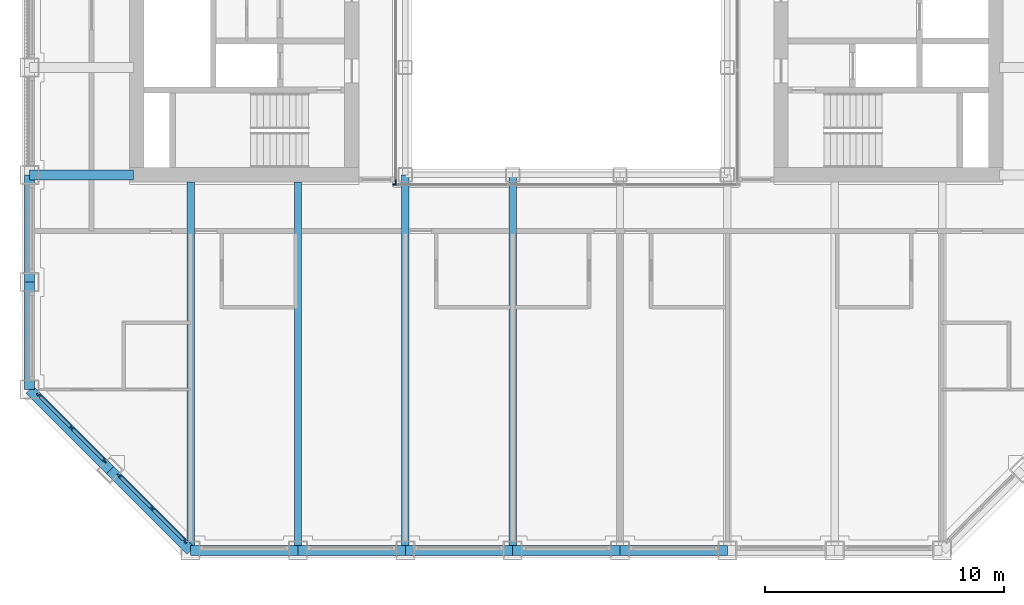
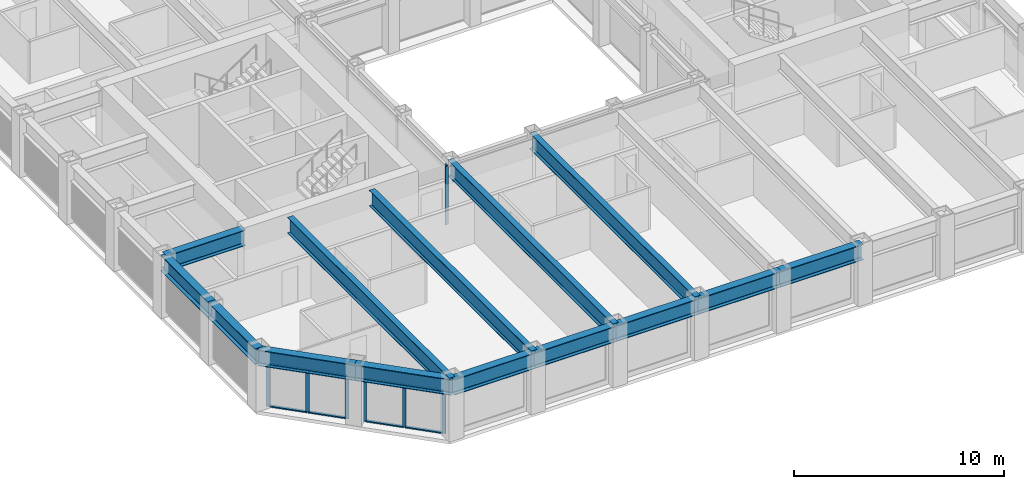
# One storey, part 2 of 17: 16 members, 14 beams, 4 elements without a shape of their own.
"""IFC4 building model written with IfcOpenShell, lengths in metres."""

from ifc_helpers import new_model, si_unit, direction, frame, origin, origin_2d, place, context, subcontext, project, spatial, rectangle, i_section, extrude, material, material_profile, profile_set, type_object, element, aggregate, save


model = new_model("IFC4")

# Units and contexts
model_context = context("Model", 3, precision=1e-05, world=origin(), true_north=direction((0.0, 1.0)))
body_context = subcontext(model_context, "Body", "Model", "MODEL_VIEW")
ifc_project = project(units=[si_unit("LENGTHUNIT", "METRE"), si_unit("AREAUNIT", "SQUARE_METRE"), si_unit("VOLUMEUNIT", "CUBIC_METRE"), si_unit("PLANEANGLEUNIT", "RADIAN"), si_unit("MASSUNIT", "GRAM", prefix="KILO")], contexts=[model_context])

# Site, building, storey
site_placement = place(None, origin())
site = spatial("IfcSite", under=ifc_project, at=site_placement, CompositionType="ELEMENT")
building_placement = place(site_placement, origin())
building = spatial("IfcBuilding", under=site, at=building_placement, Name="Msasa Ring Tower", CompositionType="ELEMENT")
storey_placement = place(building_placement, frame((0.0, 0.0, 150.800048828125)))
storey = spatial("IfcBuildingStorey", under=building, at=storey_placement, Name="L39", CompositionType="ELEMENT", Elevation=150.800048828125)

# Curtain wall, members
ifc_material_1 = material(Name="Aluminium curtain wall with clear glass", Category="aluminium")
curtain_wall_type_1 = type_object("IfcCurtainWallType", Name="CW-C CHAMFER CORNER CURTAIN WALL", PredefinedType="NOTDEFINED", material=ifc_material_1)
curtain_wall_1_placement = place(storey_placement, origin())
curtain_wall_1 = element("IfcCurtainWall", 1, at=curtain_wall_1_placement, inside=storey, type_object=curtain_wall_type_1, Name="Chamfer corner curtain wall SW L39", PredefinedType="NOTDEFINED")
ifc_material_2 = material(Name="Aluminium mullion", Category="aluminium")
ifc_material_profile_1 = material_profile(ifc_material_2, rectangle(XDim=0.06494140625, YDim=0.179931640625, at=origin_2d()), Name="AL 65x180")
ifc_profile_set_1 = profile_set([ifc_material_profile_1], Name="Aluminium mullion")
member_type_1 = type_object("IfcMemberType", Name="CW-C MULLION 65x180", PredefinedType="MULLION", material=ifc_profile_set_1)
member_1_placement = place(storey_placement, frame((-22.119873046875, -15.98876953125, 0.0), z_axis=(0.0, 0.0, 1.0), x_axis=(0.707106781187, 0.707106781187, 0.0)))
member_1 = element("IfcMember", 2, at=member_1_placement, type_object=member_type_1, Name="CW-C mullion 1", PredefinedType="MULLION", context=body_context, shape_type="SweptSolid", body=[
    extrude(rectangle(XDim=0.06494140625, YDim=0.179931640625, at=origin_2d()), origin(), (0.0, 0.0, 1.0), 2.47900390625),
])
member_2_placement = place(storey_placement, frame((-20.74169921875, -17.36669921875, 0.0), z_axis=(0.0, 0.0, 1.0), x_axis=(0.707106781187, 0.707106781187, 0.0)))
member_2 = element("IfcMember", 3, at=member_2_placement, type_object=member_type_1, Name="CW-C mullion 2", PredefinedType="MULLION", context=body_context, shape_type="SweptSolid", body=[
    extrude(rectangle(XDim=0.06494140625, YDim=0.179931640625, at=origin_2d()), origin(), (0.0, 0.0, 1.0), 2.47900390625),
])
member_3_placement = place(storey_placement, frame((-19.36376953125, -18.744873046875, 0.0), z_axis=(0.0, 0.0, 1.0), x_axis=(0.707106781187, 0.707106781187, 0.0)))
member_3 = element("IfcMember", 4, at=member_3_placement, type_object=member_type_1, Name="CW-C mullion 3", PredefinedType="MULLION", context=body_context, shape_type="SweptSolid", body=[
    extrude(rectangle(XDim=0.06494140625, YDim=0.179931640625, at=origin_2d()), origin(), (0.0, 0.0, 1.0), 2.47900390625),
])

curtain_wall_2_placement = place(storey_placement, origin())
curtain_wall_2 = element("IfcCurtainWall", 5, at=curtain_wall_2_placement, inside=storey, type_object=curtain_wall_type_1, Name="Chamfer corner curtain wall SW L39", PredefinedType="NOTDEFINED")
member_4_placement = place(storey_placement, frame((-18.744873046875, -19.36376953125, 0.0), z_axis=(0.0, 0.0, 1.0), x_axis=(0.707106781187, 0.707106781187, 0.0)))
member_4 = element("IfcMember", 6, at=member_4_placement, type_object=member_type_1, Name="CW-C mullion 1", PredefinedType="MULLION", context=body_context, shape_type="SweptSolid", body=[
    extrude(rectangle(XDim=0.06494140625, YDim=0.179931640625, at=origin_2d()), origin(), (0.0, 0.0, 1.0), 2.47900390625),
])
member_5_placement = place(storey_placement, frame((-17.36669921875, -20.74169921875, 0.0), z_axis=(0.0, 0.0, 1.0), x_axis=(0.707106781187, 0.707106781187, 0.0)))
member_5 = element("IfcMember", 7, at=member_5_placement, type_object=member_type_1, Name="CW-C mullion 2", PredefinedType="MULLION", context=body_context, shape_type="SweptSolid", body=[
    extrude(rectangle(XDim=0.06494140625, YDim=0.179931640625, at=origin_2d()), origin(), (0.0, 0.0, 1.0), 2.47900390625),
])
member_6_placement = place(storey_placement, frame((-15.98876953125, -22.119873046875, 0.0), z_axis=(0.0, 0.0, 1.0), x_axis=(0.707106781187, 0.707106781187, 0.0)))
member_6 = element("IfcMember", 8, at=member_6_placement, type_object=member_type_1, Name="CW-C mullion 3", PredefinedType="MULLION", context=body_context, shape_type="SweptSolid", body=[
    extrude(rectangle(XDim=0.06494140625, YDim=0.179931640625, at=origin_2d()), origin(), (0.0, 0.0, 1.0), 2.47900390625),
])

# Member
ifc_material_3 = material(Name="Aluminium transom", Category="aluminium")
ifc_material_profile_2 = material_profile(ifc_material_3, rectangle(XDim=0.139892578125, YDim=0.06494140625, at=origin_2d()), Name="AL 65x140")
ifc_profile_set_2 = profile_set([ifc_material_profile_2], Name="Aluminium transom")
member_type_2 = type_object("IfcMemberType", Name="CW-C TRANSOM 65x140", PredefinedType="USERDEFINED", material=ifc_profile_set_2)
member_7_placement = place(storey_placement, frame((-22.096923828125, -16.01171875, 0.032470703125), z_axis=(0.707106781187, -0.707106781187, 0.0), x_axis=(0.707106781187, 0.707106781187, 0.0)))
member_7 = element("IfcMember", 9, at=member_7_placement, type_object=member_type_2, Name="CW-C transom 1.1", ObjectType="TRANSOM", PredefinedType="USERDEFINED", context=body_context, shape_type="SweptSolid", body=[
    extrude(rectangle(XDim=0.139892578125, YDim=0.06494140625, at=origin_2d()), origin(), (0.0, 0.0, 1.0), 1.8837890625),
])

member_8_placement = place(storey_placement, frame((-22.096923828125, -16.01171875, 2.446533203125), z_axis=(0.707106781187, -0.707106781187, 0.0), x_axis=(0.707106781187, 0.707106781187, 0.0)))
member_8 = element("IfcMember", 10, at=member_8_placement, type_object=member_type_2, Name="CW-C transom 1.2", ObjectType="TRANSOM", PredefinedType="USERDEFINED", context=body_context, shape_type="SweptSolid", body=[
    extrude(rectangle(XDim=0.139892578125, YDim=0.06494140625, at=origin_2d()), origin(), (0.0, 0.0, 1.0), 1.8837890625),
])

member_9_placement = place(storey_placement, frame((-20.71875, -17.389892578125, 0.032470703125), z_axis=(0.707106781187, -0.707106781187, 0.0), x_axis=(0.707106781187, 0.707106781187, 0.0)))
member_9 = element("IfcMember", 11, at=member_9_placement, type_object=member_type_2, Name="CW-C transom 2.1", ObjectType="TRANSOM", PredefinedType="USERDEFINED", context=body_context, shape_type="SweptSolid", body=[
    extrude(rectangle(XDim=0.139892578125, YDim=0.06494140625, at=origin_2d()), origin(), (0.0, 0.0, 1.0), 1.8837890625),
])

member_10_placement = place(storey_placement, frame((-20.71875, -17.389892578125, 2.446533203125), z_axis=(0.707106781187, -0.707106781187, 0.0), x_axis=(0.707106781187, 0.707106781187, 0.0)))
member_10 = element("IfcMember", 12, at=member_10_placement, type_object=member_type_2, Name="CW-C transom 2.2", ObjectType="TRANSOM", PredefinedType="USERDEFINED", context=body_context, shape_type="SweptSolid", body=[
    extrude(rectangle(XDim=0.139892578125, YDim=0.06494140625, at=origin_2d()), origin(), (0.0, 0.0, 1.0), 1.8837890625),
])

aggregate(curtain_wall_1, [member_1, member_2, member_3, member_7, member_8, member_9, member_10])

member_11_placement = place(storey_placement, frame((-18.721923828125, -19.38671875, 0.032470703125), z_axis=(0.707106781187, -0.707106781187, 0.0), x_axis=(0.707106781187, 0.707106781187, 0.0)))
member_11 = element("IfcMember", 13, at=member_11_placement, type_object=member_type_2, Name="CW-C transom 1.1", ObjectType="TRANSOM", PredefinedType="USERDEFINED", context=body_context, shape_type="SweptSolid", body=[
    extrude(rectangle(XDim=0.139892578125, YDim=0.06494140625, at=origin_2d()), origin(), (0.0, 0.0, 1.0), 1.8837890625),
])

member_12_placement = place(storey_placement, frame((-18.721923828125, -19.38671875, 2.446533203125), z_axis=(0.707106781187, -0.707106781187, 0.0), x_axis=(0.707106781187, 0.707106781187, 0.0)))
member_12 = element("IfcMember", 14, at=member_12_placement, type_object=member_type_2, Name="CW-C transom 1.2", ObjectType="TRANSOM", PredefinedType="USERDEFINED", context=body_context, shape_type="SweptSolid", body=[
    extrude(rectangle(XDim=0.139892578125, YDim=0.06494140625, at=origin_2d()), origin(), (0.0, 0.0, 1.0), 1.8837890625),
])

member_13_placement = place(storey_placement, frame((-17.34375, -20.764892578125, 0.032470703125), z_axis=(0.707106781187, -0.707106781187, 0.0), x_axis=(0.707106781187, 0.707106781187, 0.0)))
member_13 = element("IfcMember", 15, at=member_13_placement, type_object=member_type_2, Name="CW-C transom 2.1", ObjectType="TRANSOM", PredefinedType="USERDEFINED", context=body_context, shape_type="SweptSolid", body=[
    extrude(rectangle(XDim=0.139892578125, YDim=0.06494140625, at=origin_2d()), origin(), (0.0, 0.0, 1.0), 1.8837890625),
])

member_14_placement = place(storey_placement, frame((-17.34375, -20.764892578125, 2.446533203125), z_axis=(0.707106781187, -0.707106781187, 0.0), x_axis=(0.707106781187, 0.707106781187, 0.0)))
member_14 = element("IfcMember", 16, at=member_14_placement, type_object=member_type_2, Name="CW-C transom 2.2", ObjectType="TRANSOM", PredefinedType="USERDEFINED", context=body_context, shape_type="SweptSolid", body=[
    extrude(rectangle(XDim=0.139892578125, YDim=0.06494140625, at=origin_2d()), origin(), (0.0, 0.0, 1.0), 1.8837890625),
])

aggregate(curtain_wall_2, [member_4, member_5, member_6, member_11, member_12, member_13, member_14])

# Curtain wall, member
ifc_material_4 = material(Name="Aluminium curtain wall with clear glass", Category="aluminium")
curtain_wall_type_2 = type_object("IfcCurtainWallType", Name="CW-W LIGHT WELL CURTAIN WALL", PredefinedType="NOTDEFINED", material=ifc_material_4)
curtain_wall_3_placement = place(storey_placement, origin())
curtain_wall_3 = element("IfcCurtainWall", 17, at=curtain_wall_3_placement, inside=storey, type_object=curtain_wall_type_2, Name="Light well curtain wall S L39", PredefinedType="NOTDEFINED")
ifc_material_5 = material(Name="Aluminium mullion", Category="aluminium")
ifc_material_profile_3 = material_profile(ifc_material_5, rectangle(XDim=0.06005859375, YDim=0.159912109375, at=origin_2d()), Name="AL 60x160")
ifc_profile_set_3 = profile_set([ifc_material_profile_3], Name="Aluminium mullion")
member_type_3 = type_object("IfcMemberType", Name="CW-W MULLION 60x160", PredefinedType="MULLION", material=ifc_profile_set_3)
member_15_placement = place(storey_placement, frame((-7.199951171875, -7.14990234375, 0.0), z_axis=(0.0, 0.0, 1.0), x_axis=(0.0, 1.0, 0.0)))
member_15 = element("IfcMember", 18, at=member_15_placement, type_object=member_type_3, Name="CW-W mullion 1", PredefinedType="MULLION", context=body_context, shape_type="SweptSolid", body=[
    extrude(rectangle(XDim=0.06005859375, YDim=0.159912109375, at=origin_2d()), origin(), (0.0, 0.0, 1.0), 3.39990234375),
])
aggregate(curtain_wall_3, [member_15])

curtain_wall_4_placement = place(storey_placement, origin())
curtain_wall_4 = element("IfcCurtainWall", 19, at=curtain_wall_4_placement, inside=storey, type_object=curtain_wall_type_2, Name="Light well curtain wall W L39", PredefinedType="NOTDEFINED")
member_16_placement = place(storey_placement, frame((-7.14990234375, -7.0400390625, 0.0), z_axis=(0.0, 0.0, 1.0), x_axis=(-1.0, 0.0, 0.0)))
member_16 = element("IfcMember", 20, at=member_16_placement, type_object=member_type_3, Name="CW-W mullion 1", PredefinedType="MULLION", context=body_context, shape_type="SweptSolid", body=[
    extrude(rectangle(XDim=0.06005859375, YDim=0.159912109375, at=origin_2d()), origin(), (0.0, 0.0, 1.0), 3.39990234375),
])
aggregate(curtain_wall_4, [member_16])

# Beams
ifc_material_6 = material(Name="Steel S355", Category="steel")
ifc_material_profile_4 = material_profile(ifc_material_6, i_section(OverallWidth=0.3076171875, OverallDepth=0.926513671875, WebThickness=0.01953125, FlangeThickness=0.031982421875, FilletRadius=0.01904296875, at=origin_2d()), Name="UB 914x305x289")
ifc_profile_set_4 = profile_set([ifc_material_profile_4], Name="Steel S355")
beam_type_1 = type_object("IfcBeamType", Name="FB3 UB 914x305x289", PredefinedType="BEAM", material=ifc_profile_set_4)
for number, where, z_axis, x_axis, name in (
    (21, (-15.75, -22.5, 2.936767578125), (0.0, 1.0, 0.0), (-1.0, 0.0, 0.0), "Floor beam S-15.75 under L40"),
    (22, (-11.25, -22.5, 2.936767578125), (0.0, 1.0, 0.0), (-1.0, 0.0, 0.0), "Floor beam S-11.25 under L40"),
):
    element("IfcBeam", number, at=place(storey_placement, frame(where, z_axis=z_axis, x_axis=x_axis)), inside=storey, type_object=beam_type_1, Name=name, PredefinedType="BEAM", context=body_context, shape_type="SweptSolid", body=[
        extrude(i_section(OverallWidth=0.3076171875, OverallDepth=0.926513671875, WebThickness=0.01953125, FlangeThickness=0.031982421875, FilletRadius=0.01904296875, at=origin_2d()), origin(), (0.0, 0.0, 1.0), 15.449951171875),
    ])
for number, where, z_axis, x_axis, name in (
    (23, (-6.75, -22.5, 2.936767578125), (0.0, 1.0, 0.0), (-1.0, 0.0, 0.0), "Floor beam S-6.75 under L40"),
    (24, (-2.25, -22.5, 2.936767578125), (0.0, 1.0, 0.0), (-1.0, 0.0, 0.0), "Floor beam S-2.25 under L40"),
):
    element("IfcBeam", number, at=place(storey_placement, frame(where, z_axis=z_axis, x_axis=x_axis)), inside=storey, type_object=beam_type_1, Name=name, PredefinedType="BEAM", context=body_context, shape_type="SweptSolid", body=[
        extrude(i_section(OverallWidth=0.3076171875, OverallDepth=0.926513671875, WebThickness=0.01953125, FlangeThickness=0.031982421875, FilletRadius=0.01904296875, at=origin_2d()), origin(), (0.0, 0.0, 1.0), 15.75),
    ])
ifc_material_7 = material(Name="Steel S355", Category="steel")
ifc_material_profile_5 = material_profile(ifc_material_7, i_section(OverallWidth=0.42041015625, OverallDepth=0.9208984375, WebThickness=0.021484375, FlangeThickness=0.03662109375, FilletRadius=0.024169921875, at=origin_2d()), Name="UB 914x419x388")
ifc_profile_set_5 = profile_set([ifc_material_profile_5], Name="Steel S355")
beam_type_2 = type_object("IfcBeamType", Name="GB1 UB 914x419x388", PredefinedType="BEAM", material=ifc_profile_set_5)
beam_placement = place(storey_placement, frame((-18.14990234375, -6.75, 2.939453125), z_axis=(-1.0, 0.0, 0.0), x_axis=(0.0, -1.0, 0.0)))
element("IfcBeam", 25, at=beam_placement, inside=storey, type_object=beam_type_2, Name="Girder W -6.75 under L40", PredefinedType="BEAM", context=body_context, shape_type="SweptSolid", body=[
    extrude(i_section(OverallWidth=0.42041015625, OverallDepth=0.9208984375, WebThickness=0.021484375, FlangeThickness=0.03662109375, FilletRadius=0.024169921875, at=origin_2d()), origin(), (0.0, 0.0, 1.0), 4.35009765625),
])
ifc_material_8 = material(Name="Steel S355", Category="steel")
ifc_material_profile_6 = material_profile(ifc_material_8, i_section(OverallWidth=0.42041015625, OverallDepth=0.9208984375, WebThickness=0.021484375, FlangeThickness=0.03662109375, FilletRadius=0.024169921875, at=origin_2d()), Name="UB 914x419x388")
ifc_profile_set_6 = profile_set([ifc_material_profile_6], Name="Steel S355")
beam_type_3 = type_object("IfcBeamType", Name="SB1 UB 914x419x388", PredefinedType="SPANDREL", material=ifc_profile_set_6)
for number, where, z_axis, x_axis, name in (
    (26, (-22.5, -6.75, 2.939453125), (0.0, -1.0, 0.0), (1.0, 0.0, 0.0), "Spandrel W-6.75 to W-11.25 under L40"),
    (27, (-22.5, -11.25, 2.939453125), (0.0, -1.0, 0.0), (1.0, 0.0, 0.0), "Spandrel W-11.25 to W-15.75 under L40"),
):
    element("IfcBeam", number, at=place(storey_placement, frame(where, z_axis=z_axis, x_axis=x_axis)), inside=storey, type_object=beam_type_3, Name=name, PredefinedType="SPANDREL", context=body_context, shape_type="SweptSolid", body=[
        extrude(i_section(OverallWidth=0.42041015625, OverallDepth=0.9208984375, WebThickness=0.021484375, FlangeThickness=0.03662109375, FilletRadius=0.024169921875, at=origin_2d()), origin(), (0.0, 0.0, 1.0), 4.5),
    ])
for number, where, z_axis, x_axis, name in (
    (28, (-22.5, -15.75, 2.939453125), (0.707106781187, -0.707106781187, 0.0), (0.707106781187, 0.707106781187, 0.0), "Spandrel W-15.75 to SW under L40"),
    (29, (-19.125, -19.125, 2.939453125), (0.707106781187, -0.707106781187, 0.0), (0.707106781187, 0.707106781187, 0.0), "Spandrel SW to S-15.75 under L40"),
):
    element("IfcBeam", number, at=place(storey_placement, frame(where, z_axis=z_axis, x_axis=x_axis)), inside=storey, type_object=beam_type_3, Name=name, PredefinedType="SPANDREL", context=body_context, shape_type="SweptSolid", body=[
        extrude(i_section(OverallWidth=0.42041015625, OverallDepth=0.9208984375, WebThickness=0.021484375, FlangeThickness=0.03662109375, FilletRadius=0.024169921875, at=origin_2d()), origin(), (0.0, 0.0, 1.0), 4.77294921875),
    ])
for number, where, z_axis, x_axis, name in (
    (30, (-15.75, -22.5, 2.939453125), (1.0, 0.0, 0.0), (0.0, 1.0, 0.0), "Spandrel S-15.75 to S-11.25 under L40"),
    (31, (-11.25, -22.5, 2.939453125), (1.0, 0.0, 0.0), (0.0, 1.0, 0.0), "Spandrel S-11.25 to S-6.75 under L40"),
    (32, (-6.75, -22.5, 2.939453125), (1.0, 0.0, 0.0), (0.0, 1.0, 0.0), "Spandrel S-6.75 to S-2.25 under L40"),
    (33, (-2.25, -22.5, 2.939453125), (1.0, 0.0, 0.0), (0.0, 1.0, 0.0), "Spandrel S-2.25 to S+2.25 under L40"),
    (34, (2.25, -22.5, 2.939453125), (1.0, 0.0, 0.0), (0.0, 1.0, 0.0), "Spandrel S+2.25 to S+6.75 under L40"),
):
    element("IfcBeam", number, at=place(storey_placement, frame(where, z_axis=z_axis, x_axis=x_axis)), inside=storey, type_object=beam_type_3, Name=name, PredefinedType="SPANDREL", context=body_context, shape_type="SweptSolid", body=[
        extrude(i_section(OverallWidth=0.42041015625, OverallDepth=0.9208984375, WebThickness=0.021484375, FlangeThickness=0.03662109375, FilletRadius=0.024169921875, at=origin_2d()), origin(), (0.0, 0.0, 1.0), 4.5),
    ])

save(model, "model.ifc")
